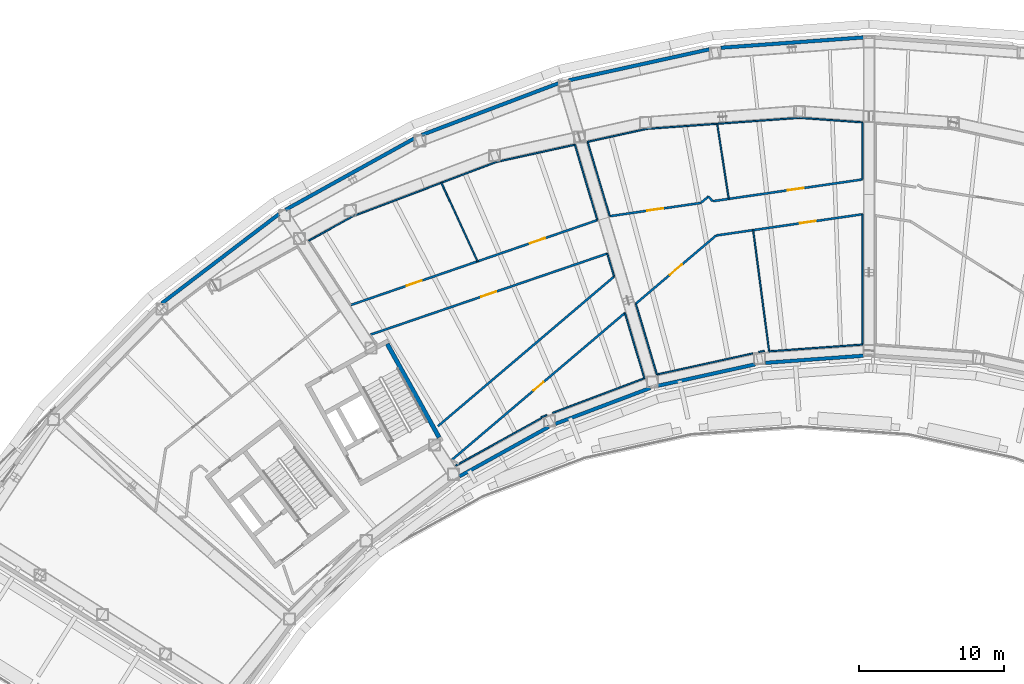
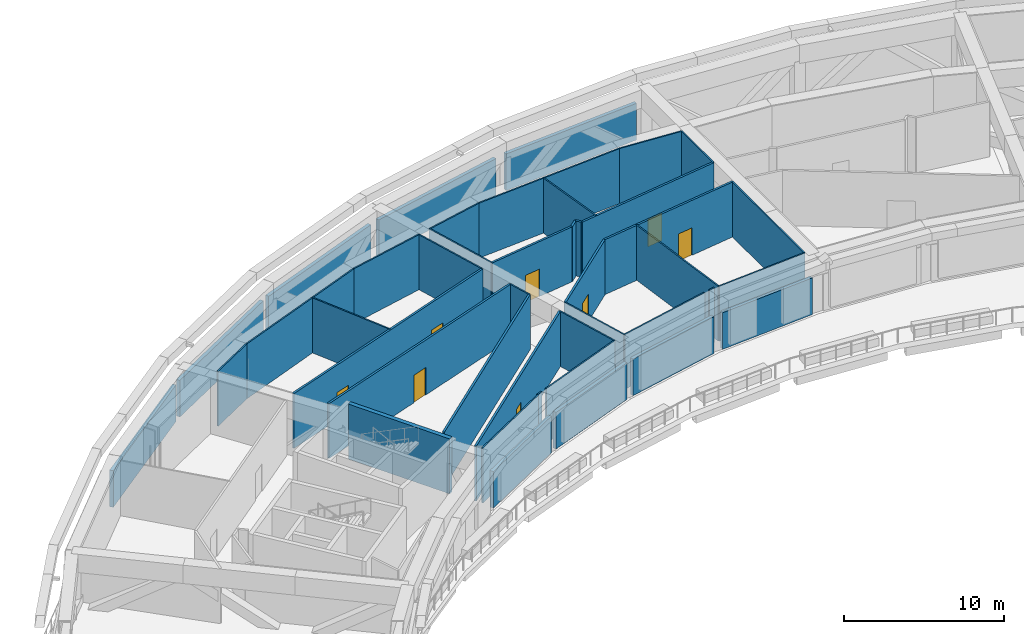
# One storey, part 8 of 25: 42 walls, 8 doors, 8 openings.
"""IFC4 building model written with IfcOpenShell, lengths in metres."""

from ifc_helpers import new_model, si_unit, direction, frame, frame_2d, origin, place, context, subcontext, project, spatial, rectangle, extrude, material, layer, layer_set, type_object, element, fill, save


model = new_model("IFC4")

# Units and contexts
model_context = context("Model", 3, precision=1e-05, world=origin(), true_north=direction((0.0, 1.0)))
body_context = subcontext(model_context, "Body", "Model", "MODEL_VIEW")
ifc_project = project(units=[si_unit("LENGTHUNIT", "METRE"), si_unit("AREAUNIT", "SQUARE_METRE"), si_unit("VOLUMEUNIT", "CUBIC_METRE"), si_unit("PLANEANGLEUNIT", "RADIAN"), si_unit("MASSUNIT", "GRAM", prefix="KILO")], contexts=[model_context])

# Site, building, storey
site_placement = place(None, origin())
site = spatial("IfcSite", under=ifc_project, at=site_placement, CompositionType="ELEMENT")
building_placement = place(site_placement, origin())
building = spatial("IfcBuilding", under=site, at=building_placement, Name="Tuul Gate Civic Tower", CompositionType="ELEMENT")
storey_placement = place(building_placement, frame((0.0, 0.0, 60.89990234375)))
storey = spatial("IfcBuildingStorey", under=building, at=storey_placement, Name="Plant and refuge floor 2", CompositionType="ELEMENT", Elevation=60.89990234375)

# Wall
ifc_material_1 = material(Name="Concrete C50/60", Category="concrete")
ifc_layer_1 = layer(ifc_material_1, 0.300048828125)
ifc_layer_set_1 = layer_set([ifc_layer_1], Name="Concrete C50/60")
wall_type_1 = type_object("IfcWallType", Name="Core wall C50/60", PredefinedType="SHEAR", material=ifc_layer_set_1)
wall_1_placement = place(storey_placement, frame((-24.91552734375, -8.6572265625, 0.0), z_axis=(0.0, 0.0, 1.0), x_axis=(-0.484777133038, 0.874637714304, 0.0)))
element("IfcWall", 1, at=wall_1_placement, inside=storey, type_object=wall_type_1, Name="Core wall", PredefinedType="SHEAR", context=body_context, shape_type="SweptSolid", body=[
    extrude(rectangle(XDim=7.400146484375, YDim=0.300048828125, at=frame_2d((3.7001953125, 0.0))), origin(), (0.0, 0.0, 1.0), 4.2001953125),
])

# Wall, opening, door
ifc_material_2 = material(Name="Gypsum board partition")
ifc_layer_2 = layer(ifc_material_2, 0.14990234375)
ifc_layer_set_2 = layer_set([ifc_layer_2], Name="Gypsum board partition")
wall_type_2 = type_object("IfcWallType", Name="Corridor wall P150", PredefinedType="PARTITIONING", material=ifc_layer_set_2)
wall_2_placement = place(storey_placement, frame((-5.76123046875, 5.3115234375, 0.0), z_axis=(0.0, 0.0, 1.0), x_axis=(0.989629926564, 0.143640552939, 0.0)))
wall_2 = element("IfcWall", 2, at=wall_2_placement, inside=storey, type_object=wall_type_2, Name="p026", PredefinedType="PARTITIONING", context=body_context, shape_type="SweptSolid", body=[
    extrude(rectangle(XDim=10.22509765625, YDim=0.14990234375, at=frame_2d((5.112548828125, 0.0))), origin(), (0.0, 0.0, 1.0), 4.2001953125),
])
opening_1_placement = place(wall_2_placement, frame((5.853759765625, 0.0, 0.0)))
opening_1 = element("IfcOpeningElement", 3, at=opening_1_placement, cuts=wall_2, Name="Opening PA-D10", PredefinedType="OPENING", context=body_context, shape_type="SweptSolid", body=[
    extrude(rectangle(XDim=1.10009765625, YDim=2.10009765625, at=frame_2d((0.550048828125, 1.050048828125))), frame((0.0, 0.0849609375, 0.0), z_axis=(0.0, -1.0, 0.0), x_axis=(1.0, 0.0, 0.0)), (0.0, 0.0, 1.0), 0.169921875),
])
ifc_material_3 = material(Name="Timber door leaf", Category="wood")
door_type_1 = type_object("IfcDoorType", Name="Door D11", OperationType="NOTDEFINED", PredefinedType="DOOR", material=ifc_material_3)
door_1_placement = place(opening_1_placement, frame((1.10009765625, 0.0, 0.0), z_axis=(0.0, 0.0, 1.0), x_axis=(-1.0, 0.0, 0.0)))
door_1 = element("IfcDoor", 4, at=door_1_placement, inside=storey, type_object=door_type_1, Name="Door PA-D10", OperationType="SINGLE_SWING_LEFT", OverallHeight=2.10009765625, OverallWidth=1.10009765625, PredefinedType="DOOR", context=body_context, shape_type="SweptSolid", body=[
    extrude(rectangle(XDim=1.10009765625, YDim=2.10009765625, at=frame_2d((0.550048828125, 1.050048828125))), frame((0.0, 0.02490234375, 0.0), z_axis=(0.0, -1.0, 0.0), x_axis=(1.0, 0.0, 0.0)), (0.0, 0.0, 1.0), 0.050048828125),
])
fill(opening_1, door_1)

wall_3_placement = place(storey_placement, frame((-24.031982421875, -10.19921875, 0.0), z_axis=(0.0, 0.0, 1.0), x_axis=(0.76225670898, 0.647274833139, 0.0)))
wall_3 = element("IfcWall", 5, at=wall_3_placement, inside=storey, type_object=wall_type_2, Name="p028", PredefinedType="PARTITIONING", context=body_context, shape_type="SweptSolid", body=[
    extrude(rectangle(XDim=15.691162109375, YDim=0.14990234375, at=frame_2d((7.845703125, 0.0))), origin(), (0.0, 0.0, 1.0), 4.2001953125),
])
opening_2_placement = place(wall_3_placement, frame((7.3955078125, 0.0, 0.0)))
opening_2 = element("IfcOpeningElement", 6, at=opening_2_placement, cuts=wall_3, Name="Opening PA-D14", PredefinedType="OPENING", context=body_context, shape_type="SweptSolid", body=[
    extrude(rectangle(XDim=0.89990234375, YDim=2.10009765625, at=frame_2d((0.449951171875, 1.050048828125))), frame((0.0, 0.0849609375, 0.0), z_axis=(0.0, -1.0, 0.0), x_axis=(1.0, 0.0, 0.0)), (0.0, 0.0, 1.0), 0.169921875),
])
ifc_material_4 = material(Name="Timber door leaf", Category="wood")
door_type_2 = type_object("IfcDoorType", Name="Door D09", OperationType="NOTDEFINED", PredefinedType="DOOR", material=ifc_material_4)
door_2_placement = place(opening_2_placement, frame((0.89990234375, 0.0, 0.0), z_axis=(0.0, 0.0, 1.0), x_axis=(-1.0, 0.0, 0.0)))
door_2 = element("IfcDoor", 7, at=door_2_placement, inside=storey, type_object=door_type_2, Name="Door PA-D14", OperationType="SINGLE_SWING_LEFT", OverallHeight=2.10009765625, OverallWidth=0.89990234375, PredefinedType="DOOR", context=body_context, shape_type="SweptSolid", body=[
    extrude(rectangle(XDim=0.89990234375, YDim=2.10009765625, at=frame_2d((0.449951171875, 1.050048828125))), frame((0.0, 0.02490234375, 0.0), z_axis=(0.0, -1.0, 0.0), x_axis=(1.0, 0.0, 0.0)), (0.0, 0.0, 1.0), 0.050048828125),
])
fill(opening_2, door_2)

wall_4_placement = place(storey_placement, frame((-11.32177734375, 0.59375, 0.0), z_axis=(0.0, 0.0, 1.0), x_axis=(0.762251940679, 0.647280448439, 0.0)))
wall_4 = element("IfcWall", 8, at=wall_4_placement, inside=storey, type_object=wall_type_2, Name="p029", PredefinedType="PARTITIONING", context=body_context, shape_type="SweptSolid", body=[
    extrude(rectangle(XDim=7.281494140625, YDim=0.14990234375, at=frame_2d((3.640625, 0.0))), origin(), (0.0, 0.0, 1.0), 4.2001953125),
])
opening_3_placement = place(wall_4_placement, frame((3.0908203125, 0.0, 0.0)))
opening_3 = element("IfcOpeningElement", 9, at=opening_3_placement, cuts=wall_4, Name="Opening PA-D11", PredefinedType="OPENING", context=body_context, shape_type="SweptSolid", body=[
    extrude(rectangle(XDim=1.10009765625, YDim=2.10009765625, at=frame_2d((0.550048828125, 1.050048828125))), frame((0.0, 0.0849609375, 0.0), z_axis=(0.0, -1.0, 0.0), x_axis=(1.0, 0.0, 0.0)), (0.0, 0.0, 1.0), 0.169921875),
])
door_3_placement = place(opening_3_placement, frame((1.10009765625, 0.0, 0.0), z_axis=(0.0, 0.0, 1.0), x_axis=(-1.0, 0.0, 0.0)))
door_3 = element("IfcDoor", 10, at=door_3_placement, inside=storey, type_object=door_type_1, Name="Door PA-D11", OperationType="SINGLE_SWING_LEFT", OverallHeight=2.10009765625, OverallWidth=1.10009765625, PredefinedType="DOOR", context=body_context, shape_type="SweptSolid", body=[
    extrude(rectangle(XDim=1.10009765625, YDim=2.10009765625, at=frame_2d((0.550048828125, 1.050048828125))), frame((0.0, 0.02490234375, 0.0), z_axis=(0.0, -1.0, 0.0), x_axis=(1.0, 0.0, 0.0)), (0.0, 0.0, 1.0), 0.050048828125),
])
fill(opening_3, door_3)

wall_5_placement = place(storey_placement, frame((-13.122802734375, 6.64599609375, 0.0), z_axis=(0.0, 0.0, 1.0), x_axis=(0.989598665552, 0.143855765046, 0.0)))
wall_5 = element("IfcWall", 11, at=wall_5_placement, inside=storey, type_object=wall_type_2, Name="p031", PredefinedType="PARTITIONING", context=body_context, shape_type="SweptSolid", body=[
    extrude(rectangle(XDim=6.359130859375, YDim=0.14990234375, at=frame_2d((3.1796875, 0.0))), origin(), (0.0, 0.0, 1.0), 4.2001953125),
])
opening_4_placement = place(wall_5_placement, frame((2.629638671875, 0.0, 0.0)))
opening_4 = element("IfcOpeningElement", 12, at=opening_4_placement, cuts=wall_5, Name="Opening PA-D13", PredefinedType="OPENING", context=body_context, shape_type="SweptSolid", body=[
    extrude(rectangle(XDim=1.10009765625, YDim=2.10009765625, at=frame_2d((0.550048828125, 1.050048828125))), frame((0.0, 0.0849609375, 0.0), z_axis=(0.0, -1.0, 0.0), x_axis=(1.0, 0.0, 0.0)), (0.0, 0.0, 1.0), 0.169921875),
])
door_4_placement = place(opening_4_placement, origin())
door_4 = element("IfcDoor", 13, at=door_4_placement, inside=storey, type_object=door_type_1, Name="Door PA-D13", OperationType="SINGLE_SWING_RIGHT", OverallHeight=2.10009765625, OverallWidth=1.10009765625, PredefinedType="DOOR", context=body_context, shape_type="SweptSolid", body=[
    extrude(rectangle(XDim=1.10009765625, YDim=2.10009765625, at=frame_2d((0.550048828125, 1.050048828125))), frame((0.0, 0.02490234375, 0.0), z_axis=(0.0, -1.0, 0.0), x_axis=(1.0, 0.0, 0.0)), (0.0, 0.0, 1.0), 0.050048828125),
])
fill(opening_4, door_4)

wall_6_placement = place(storey_placement, frame((-6.0048828125, 7.6806640625, 0.0), z_axis=(0.0, 0.0, 1.0), x_axis=(0.989602916656, 0.143826518231, 0.0)))
wall_6 = element("IfcWall", 14, at=wall_6_placement, inside=storey, type_object=wall_type_2, Name="p032", PredefinedType="PARTITIONING", context=body_context, shape_type="SweptSolid", body=[
    extrude(rectangle(XDim=10.4716796875, YDim=0.14990234375, at=frame_2d((5.23583984375, 0.0))), origin(), (0.0, 0.0, 1.0), 4.2001953125),
])
opening_5_placement = place(wall_6_placement, frame((5.24755859375, 0.0, 0.0)))
opening_5 = element("IfcOpeningElement", 15, at=opening_5_placement, cuts=wall_6, Name="Opening PA-D12", PredefinedType="OPENING", context=body_context, shape_type="SweptSolid", body=[
    extrude(rectangle(XDim=1.10009765625, YDim=2.10009765625, at=frame_2d((0.550048828125, 1.050048828125))), frame((0.0, 0.0849609375, 0.0), z_axis=(0.0, -1.0, 0.0), x_axis=(1.0, 0.0, 0.0)), (0.0, 0.0, 1.0), 0.169921875),
])
door_5_placement = place(opening_5_placement, origin())
door_5 = element("IfcDoor", 16, at=door_5_placement, inside=storey, type_object=door_type_1, Name="Door PA-D12", OperationType="SINGLE_SWING_RIGHT", OverallHeight=2.10009765625, OverallWidth=1.10009765625, PredefinedType="DOOR", context=body_context, shape_type="SweptSolid", body=[
    extrude(rectangle(XDim=1.10009765625, YDim=2.10009765625, at=frame_2d((0.550048828125, 1.050048828125))), frame((0.0, 0.02490234375, 0.0), z_axis=(0.0, -1.0, 0.0), x_axis=(1.0, 0.0, 0.0)), (0.0, 0.0, 1.0), 0.050048828125),
])
fill(opening_5, door_5)

# Walls
wall_7_placement = place(storey_placement, frame((-6.29638671875, 8.009033203125, 0.0), z_axis=(0.0, 0.0, 1.0), x_axis=(0.647497238914, -0.762067795933, 0.0)))
element("IfcWall", 17, at=wall_7_placement, inside=storey, type_object=wall_type_2, Name="p033", PredefinedType="PARTITIONING", context=body_context, shape_type="SweptSolid", body=[
    extrude(rectangle(XDim=0.421875, YDim=0.14990234375, at=frame_2d((0.2109375, 0.0))), origin(), (0.0, 0.0, 1.0), 4.2001953125),
])
wall_8_placement = place(storey_placement, frame((-25.004638671875, -7.876708984375, 0.0), z_axis=(0.0, 0.0, 1.0), x_axis=(0.762250857834, 0.647281723619, 0.0)))
element("IfcWall", 18, at=wall_8_placement, inside=storey, type_object=wall_type_2, Name="p034", PredefinedType="PARTITIONING", context=body_context, shape_type="SweptSolid", body=[
    extrude(rectangle(XDim=15.98583984375, YDim=0.14990234375, at=frame_2d((7.992919921875, 0.0))), origin(), (0.0, 0.0, 1.0), 4.2001953125),
])
wall_9_placement = place(storey_placement, frame((-6.81982421875, 7.565185546875, 0.0), z_axis=(0.0, 0.0, 1.0), x_axis=(0.76208860013, 0.647472752749, 0.0)))
element("IfcWall", 19, at=wall_9_placement, inside=storey, type_object=wall_type_2, Name="p035", PredefinedType="PARTITIONING", context=body_context, shape_type="SweptSolid", body=[
    extrude(rectangle(XDim=0.685791015625, YDim=0.14990234375, at=frame_2d((0.3427734375, 0.0))), origin(), (0.0, 0.0, 1.0), 4.2001953125),
])

# Wall, openings, doors
wall_10_placement = place(storey_placement, frame((-31.021728515625, 0.5048828125, 0.0), z_axis=(0.0, 0.0, 1.0), x_axis=(0.945538406044, 0.325510556965, 0.0)))
wall_10 = element("IfcWall", 20, at=wall_10_placement, inside=storey, type_object=wall_type_2, Name="p037", PredefinedType="PARTITIONING", context=body_context, shape_type="SweptSolid", body=[
    extrude(rectangle(XDim=18.02294921875, YDim=0.14990234375, at=frame_2d((9.011474609375, 0.0))), origin(), (0.0, 0.0, 1.0), 4.2001953125),
])
opening_6_placement = place(wall_10_placement, frame((13.09521484375, 0.0, 0.0)))
opening_6 = element("IfcOpeningElement", 21, at=opening_6_placement, cuts=wall_10, Name="Opening PA-D15", PredefinedType="OPENING", context=body_context, shape_type="SweptSolid", body=[
    extrude(rectangle(XDim=1.10009765625, YDim=2.10009765625, at=frame_2d((0.550048828125, 1.050048828125))), frame((0.0, 0.0849609375, 0.0), z_axis=(0.0, -1.0, 0.0), x_axis=(1.0, 0.0, 0.0)), (0.0, 0.0, 1.0), 0.169921875),
])
opening_7_placement = place(wall_10_placement, frame((4.083740234375, 0.0, 0.0)))
opening_7 = element("IfcOpeningElement", 22, at=opening_7_placement, cuts=wall_10, Name="Opening PA-D16", PredefinedType="OPENING", context=body_context, shape_type="SweptSolid", body=[
    extrude(rectangle(XDim=1.10009765625, YDim=2.10009765625, at=frame_2d((0.550048828125, 1.050048828125))), frame((0.0, 0.0849609375, 0.0), z_axis=(0.0, -1.0, 0.0), x_axis=(1.0, 0.0, 0.0)), (0.0, 0.0, 1.0), 0.169921875),
])
door_6_placement = place(opening_6_placement, origin())
door_6 = element("IfcDoor", 23, at=door_6_placement, inside=storey, type_object=door_type_1, Name="Door PA-D15", OperationType="SINGLE_SWING_RIGHT", OverallHeight=2.10009765625, OverallWidth=1.10009765625, PredefinedType="DOOR", context=body_context, shape_type="SweptSolid", body=[
    extrude(rectangle(XDim=1.10009765625, YDim=2.10009765625, at=frame_2d((0.550048828125, 1.050048828125))), frame((0.0, 0.02490234375, 0.0), z_axis=(0.0, -1.0, 0.0), x_axis=(1.0, 0.0, 0.0)), (0.0, 0.0, 1.0), 0.050048828125),
])
fill(opening_6, door_6)
door_7_placement = place(opening_7_placement, origin())
door_7 = element("IfcDoor", 24, at=door_7_placement, inside=storey, type_object=door_type_1, Name="Door PA-D16", OperationType="SINGLE_SWING_RIGHT", OverallHeight=2.10009765625, OverallWidth=1.10009765625, PredefinedType="DOOR", context=body_context, shape_type="SweptSolid", body=[
    extrude(rectangle(XDim=1.10009765625, YDim=2.10009765625, at=frame_2d((0.550048828125, 1.050048828125))), frame((0.0, 0.02490234375, 0.0), z_axis=(0.0, -1.0, 0.0), x_axis=(1.0, 0.0, 0.0)), (0.0, 0.0, 1.0), 0.050048828125),
])
fill(opening_7, door_7)

# Wall, opening, door
wall_11_placement = place(storey_placement, frame((-29.679931640625, -1.550048828125, 0.0), z_axis=(0.0, 0.0, 1.0), x_axis=(0.946062268163, 0.323984852669, 0.0)))
wall_11 = element("IfcWall", 25, at=wall_11_placement, inside=storey, type_object=wall_type_2, Name="p038", PredefinedType="PARTITIONING", context=body_context, shape_type="SweptSolid", body=[
    extrude(rectangle(XDim=17.3212890625, YDim=0.14990234375, at=frame_2d((8.66064453125, 0.0))), origin(), (0.0, 0.0, 1.0), 4.2001953125),
])
opening_8_placement = place(wall_11_placement, frame((8.110595703125, 0.0, 0.0)))
opening_8 = element("IfcOpeningElement", 26, at=opening_8_placement, cuts=wall_11, Name="Opening PA-D17", PredefinedType="OPENING", context=body_context, shape_type="SweptSolid", body=[
    extrude(rectangle(XDim=1.10009765625, YDim=2.10009765625, at=frame_2d((0.550048828125, 1.050048828125))), frame((0.0, 0.0849609375, 0.0), z_axis=(0.0, -1.0, 0.0), x_axis=(1.0, 0.0, 0.0)), (0.0, 0.0, 1.0), 0.169921875),
])
door_8_placement = place(opening_8_placement, frame((1.10009765625, 0.0, 0.0), z_axis=(0.0, 0.0, 1.0), x_axis=(-1.0, 0.0, 0.0)))
door_8 = element("IfcDoor", 27, at=door_8_placement, inside=storey, type_object=door_type_1, Name="Door PA-D17", OperationType="SINGLE_SWING_LEFT", OverallHeight=2.10009765625, OverallWidth=1.10009765625, PredefinedType="DOOR", context=body_context, shape_type="SweptSolid", body=[
    extrude(rectangle(XDim=1.10009765625, YDim=2.10009765625, at=frame_2d((0.550048828125, 1.050048828125))), frame((0.0, 0.02490234375, 0.0), z_axis=(0.0, -1.0, 0.0), x_axis=(1.0, 0.0, 0.0)), (0.0, 0.0, 1.0), 0.050048828125),
])
fill(opening_8, door_8)

# Walls
ifc_material_5 = material(Name="Precast concrete C40/50", Category="concrete")
ifc_layer_3 = layer(ifc_material_5, 0.25)
ifc_layer_set_3 = layer_set([ifc_layer_3], Name="Precast concrete C40/50")
wall_type_3 = type_object("IfcWallType", Name="External wall 2800 HIGH", PredefinedType="STANDARD", material=ifc_layer_set_3)
wall_12_placement = place(storey_placement, frame((4.407958984375, 19.003662109375, 0.0), z_axis=(0.0, 0.0, 1.0), x_axis=(-0.997387042659, -0.072243249762, 0.0)))
element("IfcWall", 28, at=wall_12_placement, inside=storey, type_object=wall_type_3, Name="External wall", PredefinedType="STANDARD", context=body_context, shape_type="SweptSolid", body=[
    extrude(rectangle(XDim=9.874755859375, YDim=0.25, at=frame_2d((4.9375, 0.0))), origin(), (0.0, 0.0, 1.0), 2.800048828125),
])
wall_13_placement = place(storey_placement, frame((-6.240966796875, 18.18017578125, 0.0), z_axis=(0.0, 0.0, 1.0), x_axis=(-0.976568573814, -0.215206460496, 0.0)))
element("IfcWall", 29, at=wall_13_placement, inside=storey, type_object=wall_type_3, Name="External wall", PredefinedType="STANDARD", context=body_context, shape_type="SweptSolid", body=[
    extrude(rectangle(XDim=9.958251953125, YDim=0.25, at=frame_2d((4.97900390625, 0.0))), origin(), (0.0, 0.0, 1.0), 2.800048828125),
])
wall_14_placement = place(storey_placement, frame((-16.66796875, 15.833984375, 0.0), z_axis=(0.0, 0.0, 1.0), x_axis=(-0.935343112745, -0.353741800528, 0.0)))
element("IfcWall", 30, at=wall_14_placement, inside=storey, type_object=wall_type_3, Name="External wall", PredefinedType="STANDARD", context=body_context, shape_type="SweptSolid", body=[
    extrude(rectangle(XDim=10.1005859375, YDim=0.25, at=frame_2d((5.05029296875, 0.0))), origin(), (0.0, 0.0, 1.0), 2.800048828125),
])
wall_15_placement = place(storey_placement, frame((-26.655029296875, 12.0107421875, 0.0), z_axis=(0.0, 0.0, 1.0), x_axis=(-0.874627139537, -0.484796211604, 0.0)))
element("IfcWall", 31, at=wall_15_placement, inside=storey, type_object=wall_type_3, Name="External wall", PredefinedType="STANDARD", context=body_context, shape_type="SweptSolid", body=[
    extrude(rectangle(XDim=10.16259765625, YDim=0.25, at=frame_2d((5.081298828125, 0.0))), origin(), (0.0, 0.0, 1.0), 2.800048828125),
])
wall_16_placement = place(storey_placement, frame((-35.993896484375, 6.788330078125, 0.0), z_axis=(0.0, 0.0, 1.0), x_axis=(-0.795619798905, -0.605796282252, 0.0)))
element("IfcWall", 32, at=wall_16_placement, inside=storey, type_object=wall_type_3, Name="External wall", PredefinedType="STANDARD", context=body_context, shape_type="SweptSolid", body=[
    extrude(rectangle(XDim=10.18896484375, YDim=0.25, at=frame_2d((5.094482421875, 0.0))), origin(), (0.0, 0.0, 1.0), 2.800048828125),
])
wall_17_placement = place(storey_placement, frame((-23.51806640625, -11.3466796875, 0.0), z_axis=(0.0, 0.0, 1.0), x_axis=(0.874625686175, 0.484798833625, 0.0)))
element("IfcWall", 33, at=wall_17_placement, inside=storey, type_object=wall_type_3, Name="External wall", PredefinedType="STANDARD", context=body_context, shape_type="SweptSolid", body=[
    extrude(rectangle(XDim=7.074462890625, YDim=0.25, at=frame_2d((3.537109375, 0.0))), origin(), (0.0, 0.0, 1.0), 2.800048828125),
])
wall_18_placement = place(storey_placement, frame((-16.8779296875, -7.712646484375, 0.0), z_axis=(0.0, 0.0, 1.0), x_axis=(0.935357520733, 0.353703701434, 0.0)))
element("IfcWall", 34, at=wall_18_placement, inside=storey, type_object=wall_type_3, Name="External wall", PredefinedType="STANDARD", context=body_context, shape_type="SweptSolid", body=[
    extrude(rectangle(XDim=7.016357421875, YDim=0.25, at=frame_2d((3.50830078125, 0.0))), origin(), (0.0, 0.0, 1.0), 2.800048828125),
])
wall_19_placement = place(storey_placement, frame((-9.777099609375, -5.075927734375, 0.0), z_axis=(0.0, 0.0, 1.0), x_axis=(0.976562030928, 0.2152361488, 0.0)))
element("IfcWall", 35, at=wall_19_placement, inside=storey, type_object=wall_type_3, Name="External wall", PredefinedType="STANDARD", context=body_context, shape_type="SweptSolid", body=[
    extrude(rectangle(XDim=6.866943359375, YDim=0.25, at=frame_2d((3.43359375, 0.0))), origin(), (0.0, 0.0, 1.0), 2.800048828125),
])
wall_20_placement = place(storey_placement, frame((-2.364013671875, -3.494384765625, 0.0), z_axis=(0.0, 0.0, 1.0), x_axis=(0.997384795983, 0.072274260578, 0.0)))
element("IfcWall", 36, at=wall_20_placement, inside=storey, type_object=wall_type_3, Name="External wall", PredefinedType="STANDARD", context=body_context, shape_type="SweptSolid", body=[
    extrude(rectangle(XDim=6.789794921875, YDim=0.25, at=frame_2d((3.39501953125, 0.0))), origin(), (0.0, 0.0, 1.0), 2.800048828125),
])
ifc_material_6 = material(Name="Gypsum board partition")
ifc_layer_4 = layer(ifc_material_6, 0.10009765625)
ifc_layer_set_4 = layer_set([ifc_layer_4], Name="Gypsum board partition")
wall_type_4 = type_object("IfcWallType", Name="Partition P100", PredefinedType="PARTITIONING", material=ifc_layer_set_4)
wall_21_placement = place(storey_placement, frame((-3.205810546875, 5.682373046875, 0.0), z_axis=(0.0, 0.0, 1.0), x_axis=(0.130508300961, -0.991447216639, 0.0)))
element("IfcWall", 37, at=wall_21_placement, inside=storey, type_object=wall_type_4, Name="p025", PredefinedType="PARTITIONING", context=body_context, shape_type="SweptSolid", body=[
    extrude(rectangle(XDim=8.45361328125, YDim=0.10009765625, at=frame_2d((4.226806640625, 0.0))), origin(), (0.0, 0.0, 1.0), 4.2001953125),
])
wall_22_placement = place(storey_placement, frame((-5.692626953125, 13.03466796875, 0.0), z_axis=(0.0, 0.0, 1.0), x_axis=(0.152095595577, -0.988365787452, 0.0)))
element("IfcWall", 38, at=wall_22_placement, inside=storey, type_object=wall_type_4, Name="p030", PredefinedType="PARTITIONING", context=body_context, shape_type="SweptSolid", body=[
    extrude(rectangle(XDim=5.253662109375, YDim=0.10009765625, at=frame_2d((2.626953125, 0.0))), origin(), (0.0, 0.0, 1.0), 4.2001953125),
])
wall_23_placement = place(storey_placement, frame((-24.76318359375, 8.953857421875, 0.0), z_axis=(0.0, 0.0, 1.0), x_axis=(0.418664735942, -0.908140869512, 0.0)))
element("IfcWall", 39, at=wall_23_placement, inside=storey, type_object=wall_type_4, Name="p036", PredefinedType="PARTITIONING", context=body_context, shape_type="SweptSolid", body=[
    extrude(rectangle(XDim=5.98193359375, YDim=0.10009765625, at=frame_2d((2.990966796875, 0.0))), origin(), (0.0, 0.0, 1.0), 4.2001953125),
])
wall_24_placement = place(storey_placement, frame((4.35791015625, 6.7802734375, 0.0), z_axis=(0.0, 0.0, 1.0), x_axis=(0.0, -1.0, 0.0)))
element("IfcWall", 40, at=wall_24_placement, inside=storey, type_object=wall_type_4, Name="p082", PredefinedType="PARTITIONING", context=body_context, shape_type="SweptSolid", body=[
    extrude(rectangle(XDim=9.0107421875, YDim=0.10009765625, at=frame_2d((4.50537109375, 0.0))), origin(), (0.0, 0.0, 1.0), 4.2001953125),
])
wall_25_placement = place(storey_placement, frame((4.35791015625, -2.23046875, 0.0), z_axis=(0.0, 0.0, 1.0), x_axis=(-0.99738081746, -0.072329143251, 0.0)))
element("IfcWall", 41, at=wall_25_placement, inside=storey, type_object=wall_type_4, Name="p083", PredefinedType="PARTITIONING", context=body_context, shape_type="SweptSolid", body=[
    extrude(rectangle(XDim=6.477294921875, YDim=0.10009765625, at=frame_2d((3.23876953125, 0.0))), origin(), (0.0, 0.0, 1.0), 4.2001953125),
])
wall_26_placement = place(storey_placement, frame((-2.42138671875, -2.66162109375, 0.0), z_axis=(0.0, 0.0, 1.0), x_axis=(-0.976570782862, -0.215196435984, 0.0)))
element("IfcWall", 42, at=wall_26_placement, inside=storey, type_object=wall_type_4, Name="p084", PredefinedType="PARTITIONING", context=body_context, shape_type="SweptSolid", body=[
    extrude(rectangle(XDim=0.41748046875, YDim=0.10009765625, at=frame_2d((0.208740234375, 0.0))), origin(), (0.0, 0.0, 1.0), 4.2001953125),
])
wall_27_placement = place(storey_placement, frame((-3.240966796875, -2.84228515625, 0.0), z_axis=(0.0, 0.0, 1.0), x_axis=(-0.97658430602, -0.215135058126, 0.0)))
element("IfcWall", 43, at=wall_27_placement, inside=storey, type_object=wall_type_4, Name="p085", PredefinedType="PARTITIONING", context=body_context, shape_type="SweptSolid", body=[
    extrude(rectangle(XDim=6.782958984375, YDim=0.10009765625, at=frame_2d((3.3916015625, 0.0))), origin(), (0.0, 0.0, 1.0), 4.2001953125),
])
wall_28_placement = place(storey_placement, frame((-9.864990234375, -4.301513671875, 0.0), z_axis=(0.0, 0.0, 1.0), x_axis=(-0.285229025139, 0.95845939049, 0.0)))
element("IfcWall", 44, at=wall_28_placement, inside=storey, type_object=wall_type_4, Name="p086", PredefinedType="PARTITIONING", context=body_context, shape_type="SweptSolid", body=[
    extrude(rectangle(XDim=5.107421875, YDim=0.10009765625, at=frame_2d((2.5537109375, 0.0))), origin(), (0.0, 0.0, 1.0), 4.2001953125),
])
wall_29_placement = place(storey_placement, frame((-10.583984375, 12.680419921875, 0.0), z_axis=(0.0, 0.0, 1.0), x_axis=(0.997388856403, 0.072218204933, 0.0)))
element("IfcWall", 45, at=wall_29_placement, inside=storey, type_object=wall_type_4, Name="p087", PredefinedType="PARTITIONING", context=body_context, shape_type="SweptSolid", body=[
    extrude(rectangle(XDim=10.611572265625, YDim=0.10009765625, at=frame_2d((5.3056640625, 0.0))), origin(), (0.0, 0.0, 1.0), 4.2001953125),
])
wall_30_placement = place(storey_placement, frame((0.0, 13.44677734375, 0.0), z_axis=(0.0, 0.0, 1.0), x_axis=(0.997390746814, -0.07219209215, 0.0)))
element("IfcWall", 46, at=wall_30_placement, inside=storey, type_object=wall_type_4, Name="p088", PredefinedType="PARTITIONING", context=body_context, shape_type="SweptSolid", body=[
    extrude(rectangle(XDim=4.369384765625, YDim=0.10009765625, at=frame_2d((2.1845703125, 0.0))), origin(), (0.0, 0.0, 1.0), 4.2001953125),
])
wall_31_placement = place(storey_placement, frame((4.35791015625, 13.13134765625, 0.0), z_axis=(0.0, 0.0, 1.0), x_axis=(0.0, -1.0, 0.0)))
element("IfcWall", 47, at=wall_31_placement, inside=storey, type_object=wall_type_4, Name="p089", PredefinedType="PARTITIONING", context=body_context, shape_type="SweptSolid", body=[
    extrude(rectangle(XDim=3.944580078125, YDim=0.10009765625, at=frame_2d((1.97216796875, 0.0))), origin(), (0.0, 0.0, 1.0), 4.2001953125),
])
wall_32_placement = place(storey_placement, frame((-13.122802734375, 6.64599609375, 0.0), z_axis=(0.0, 0.0, 1.0), x_axis=(-0.28522470819, 0.958460675165, 0.0)))
element("IfcWall", 48, at=wall_32_placement, inside=storey, type_object=wall_type_4, Name="p090", PredefinedType="PARTITIONING", context=body_context, shape_type="SweptSolid", body=[
    extrude(rectangle(XDim=5.36083984375, YDim=0.10009765625, at=frame_2d((2.680419921875, 0.0))), origin(), (0.0, 0.0, 1.0), 4.2001953125),
])
wall_33_placement = place(storey_placement, frame((-14.65185546875, 11.7841796875, 0.0), z_axis=(0.0, 0.0, 1.0), x_axis=(0.976578497201, 0.215161424992, 0.0)))
element("IfcWall", 49, at=wall_33_placement, inside=storey, type_object=wall_type_4, Name="p091", PredefinedType="PARTITIONING", context=body_context, shape_type="SweptSolid", body=[
    extrude(rectangle(XDim=4.16552734375, YDim=0.10009765625, at=frame_2d((2.082763671875, 0.0))), origin(), (0.0, 0.0, 1.0), 4.2001953125),
])
wall_34_placement = place(storey_placement, frame((-12.0712890625, -0.042724609375, 0.0), z_axis=(0.0, 0.0, 1.0), x_axis=(0.285183884499, -0.958472822788, 0.0)))
element("IfcWall", 50, at=wall_34_placement, inside=storey, type_object=wall_type_4, Name="p093", PredefinedType="PARTITIONING", context=body_context, shape_type="SweptSolid", body=[
    extrude(rectangle(XDim=4.7109375, YDim=0.10009765625, at=frame_2d((2.35546875, 0.0))), origin(), (0.0, 0.0, 1.0), 4.2001953125),
])
wall_35_placement = place(storey_placement, frame((-10.727783203125, -4.55810546875, 0.0), z_axis=(0.0, 0.0, 1.0), x_axis=(-0.935310722007, -0.353827434351, 0.0)))
element("IfcWall", 51, at=wall_35_placement, inside=storey, type_object=wall_type_4, Name="p094", PredefinedType="PARTITIONING", context=body_context, shape_type="SweptSolid", body=[
    extrude(rectangle(XDim=6.7841796875, YDim=0.10009765625, at=frame_2d((3.39208984375, 0.0))), origin(), (0.0, 0.0, 1.0), 4.2001953125),
])
wall_36_placement = place(storey_placement, frame((-17.4677734375, -7.107666015625, 0.0), z_axis=(0.0, 0.0, 1.0), x_axis=(-0.93529148989, -0.353878268532, 0.0)))
element("IfcWall", 52, at=wall_36_placement, inside=storey, type_object=wall_type_4, Name="p095", PredefinedType="PARTITIONING", context=body_context, shape_type="SweptSolid", body=[
    extrude(rectangle(XDim=0.41748046875, YDim=0.10009765625, at=frame_2d((0.208740234375, 0.0))), origin(), (0.0, 0.0, 1.0), 4.2001953125),
])
wall_37_placement = place(storey_placement, frame((-17.836669921875, -7.31201171875, 0.0), z_axis=(0.0, 0.0, 1.0), x_axis=(-0.874640656709, -0.484771824296, 0.0)))
element("IfcWall", 53, at=wall_37_placement, inside=storey, type_object=wall_type_4, Name="p096", PredefinedType="PARTITIONING", context=body_context, shape_type="SweptSolid", body=[
    extrude(rectangle(XDim=6.78369140625, YDim=0.10009765625, at=frame_2d((3.391845703125, 0.0))), origin(), (0.0, 0.0, 1.0), 4.2001953125),
])
wall_38_placement = place(storey_placement, frame((-30.874267578125, 6.642578125, 0.0), z_axis=(0.0, 0.0, 1.0), x_axis=(0.93534510398, 0.353736535376, 0.0)))
element("IfcWall", 54, at=wall_38_placement, inside=storey, type_object=wall_type_4, Name="p098", PredefinedType="PARTITIONING", context=body_context, shape_type="SweptSolid", body=[
    extrude(rectangle(XDim=10.612060546875, YDim=0.10009765625, at=frame_2d((5.30615234375, 0.0))), origin(), (0.0, 0.0, 1.0), 4.2001953125),
])
wall_39_placement = place(storey_placement, frame((-20.9482421875, 10.396484375, 0.0), z_axis=(0.0, 0.0, 1.0), x_axis=(0.976566793408, 0.215214539503, 0.0)))
element("IfcWall", 55, at=wall_39_placement, inside=storey, type_object=wall_type_4, Name="p099", PredefinedType="PARTITIONING", context=body_context, shape_type="SweptSolid", body=[
    extrude(rectangle(XDim=5.544921875, YDim=0.10009765625, at=frame_2d((2.7724609375, 0.0))), origin(), (0.0, 0.0, 1.0), 4.2001953125),
])
wall_40_placement = place(storey_placement, frame((-15.533203125, 11.58984375, 0.0), z_axis=(0.0, 0.0, 1.0), x_axis=(0.285240844426, -0.958455873095, 0.0)))
element("IfcWall", 56, at=wall_40_placement, inside=storey, type_object=wall_type_4, Name="p100", PredefinedType="PARTITIONING", context=body_context, shape_type="SweptSolid", body=[
    extrude(rectangle(XDim=5.4443359375, YDim=0.10009765625, at=frame_2d((2.72216796875, 0.0))), origin(), (0.0, 0.0, 1.0), 4.2001953125),
])
wall_41_placement = place(storey_placement, frame((-33.92529296875, 4.951416015625, 0.0), z_axis=(0.0, 0.0, 1.0), x_axis=(0.874625648705, 0.484798901223, 0.0)))
element("IfcWall", 57, at=wall_41_placement, inside=storey, type_object=wall_type_4, Name="p102", PredefinedType="PARTITIONING", context=body_context, shape_type="SweptSolid", body=[
    extrude(rectangle(XDim=3.48828125, YDim=0.10009765625, at=frame_2d((1.744140625, 0.0))), origin(), (0.0, 0.0, 1.0), 4.2001953125),
])
wall_42_placement = place(storey_placement, frame((-13.29296875, 4.061767578125, 0.0), z_axis=(0.0, 0.0, 1.0), x_axis=(0.28530988602, -0.958435323295, 0.0)))
element("IfcWall", 58, at=wall_42_placement, inside=storey, type_object=wall_type_4, Name="p105", PredefinedType="PARTITIONING", context=body_context, shape_type="SweptSolid", body=[
    extrude(rectangle(XDim=1.66015625, YDim=0.10009765625, at=frame_2d((0.830078125, 0.0))), origin(), (0.0, 0.0, 1.0), 4.2001953125),
])

save(model, "model.ifc")
